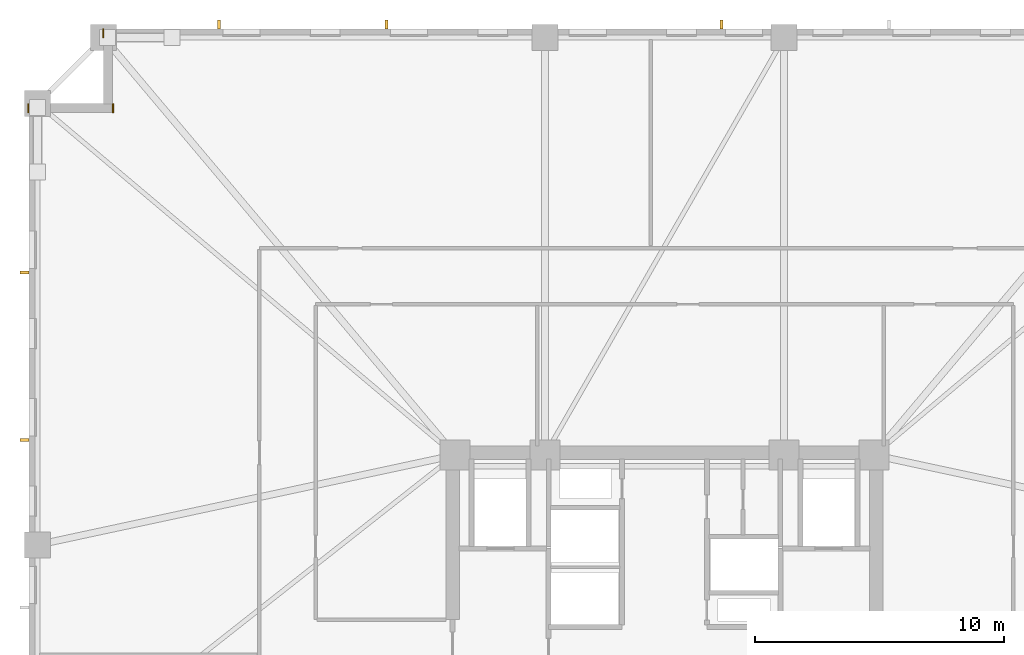
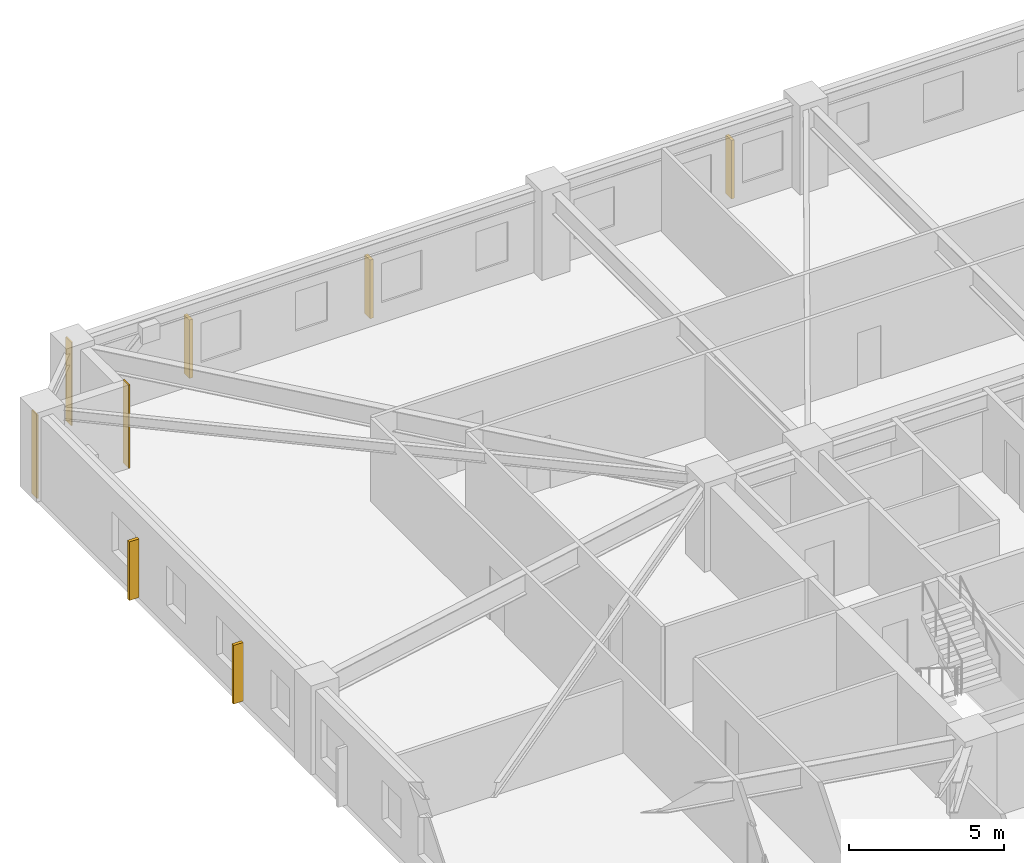
# One storey, part 10 of 11: 5 shading devices, 3 coverings.
"""IFC4 building model written with IfcOpenShell, lengths in metres."""

from ifc_helpers import new_model, si_unit, direction, frame, frame_2d, origin, origin_2d, place, context, subcontext, project, spatial, rectangle, extrude, material, layer, layer_set, type_object, element, save


model = new_model("IFC4")

# Units and contexts
model_context = context("Model", 3, precision=1e-05, world=origin(), true_north=direction((0.0, 1.0)))
body_context = subcontext(model_context, "Body", "Model", "MODEL_VIEW")
ifc_project = project(units=[si_unit("LENGTHUNIT", "METRE"), si_unit("AREAUNIT", "SQUARE_METRE"), si_unit("VOLUMEUNIT", "CUBIC_METRE"), si_unit("PLANEANGLEUNIT", "RADIAN"), si_unit("MASSUNIT", "GRAM", prefix="KILO")], contexts=[model_context])

# Site, building, storey
site_placement = place(None, origin())
site = spatial("IfcSite", under=ifc_project, at=site_placement, CompositionType="ELEMENT")
building_placement = place(site_placement, origin())
building = spatial("IfcBuilding", under=site, at=building_placement, Name="Cairnveth Concourse Tower", CompositionType="ELEMENT")
storey_placement = place(building_placement, frame((0.0, 0.0, 37.5)))
storey = spatial("IfcBuildingStorey", under=building, at=storey_placement, Name="L09", CompositionType="ELEMENT", Elevation=37.5)

# Coverings
ifc_material_1 = material(Name="Dressed Melbourne Bluestone Cladding", Category="masonry")
ifc_layer = layer(ifc_material_1, 0.050048828125)
ifc_layer_set = layer_set([ifc_layer], Name="Dressed Melbourne Bluestone Cladding")
covering_type = type_object("IfcCoveringType", Name="DRESSED BLUESTONE PLINTH CLADDING 50", PredefinedType="CLADDING", material=ifc_layer_set)
for number, where, z_axis, x_axis, name in (
    (1, (26.47998046875, 61.139892578125, 0.0), (0.0, 0.0, 1.0), (0.0, 1.0, 0.0), "Melbourne Bluestone Corner Quoin L09-91"),
    (2, (29.8798828125, 61.139892578125, 0.0), (0.0, 0.0, 1.0), (0.0, 1.0, 0.0), "Melbourne Bluestone Corner Quoin L09-92"),
    (3, (29.47998046875, 64.139892578125, 0.0), (0.0, 0.0, 1.0), (0.0, 1.0, 0.0), "Melbourne Bluestone Corner Quoin L09-93"),
):
    element("IfcCovering", number, at=place(storey_placement, frame(where, z_axis=z_axis, x_axis=x_axis)), inside=storey, type_object=covering_type, Name=name, PredefinedType="CLADDING", context=body_context, shape_type="SweptSolid", body=[
        extrude(rectangle(XDim=0.360107421875, YDim=0.050048828125, at=frame_2d((0.18017578125, 0.0))), origin(), (0.0, 0.0, 1.0), 3.280029296875),
    ])

# Shading devices
ifc_material_2 = material(Name="Architectural Bronze Anodised Aluminium 6063-T6", Category="aluminium")
shading_device_type = type_object("IfcShadingDeviceType", Name="GOTHIC BRONZE VERTICAL LANCET FIN", PredefinedType="USERDEFINED", material=ifc_material_2)
for number, where, z_axis, x_axis, name in (
    (4, (26.324951171875, 48.00146484375, 0.02978515625), (0.0, 0.0, 1.0), (0.0, 1.0, 0.0), "Gothic Bronze Vertical Fin L09-3-9"),
    (5, (26.324951171875, 54.721923828125, 0.02978515625), (0.0, 0.0, 1.0), (0.0, 1.0, 0.0), "Gothic Bronze Vertical Fin L09-3-11"),
    (6, (34.1201171875, 64.675048828125, 0.02978515625), (0.0, 0.0, 1.0), (1.0, 0.0, 0.0), "Gothic Bronze Vertical Fin L09-6-1"),
    (7, (40.840576171875, 64.675048828125, 0.02978515625), (0.0, 0.0, 1.0), (1.0, 0.0, 0.0), "Gothic Bronze Vertical Fin L09-6-3"),
    (8, (54.28125, 64.675048828125, 0.02978515625), (0.0, 0.0, 1.0), (1.0, 0.0, 0.0), "Gothic Bronze Vertical Fin L09-6-7"),
):
    element("IfcShadingDevice", number, at=place(storey_placement, frame(where, z_axis=z_axis, x_axis=x_axis)), inside=storey, type_object=shading_device_type, Name=name, ObjectType="VERTICAL FIN", PredefinedType="USERDEFINED", context=body_context, shape_type="SweptSolid", body=[
        extrude(rectangle(XDim=0.1201171875, YDim=0.360107421875, at=origin_2d()), origin(), (0.0, 0.0, 1.0), 2.303955078125),
    ])

save(model, "model.ifc")
